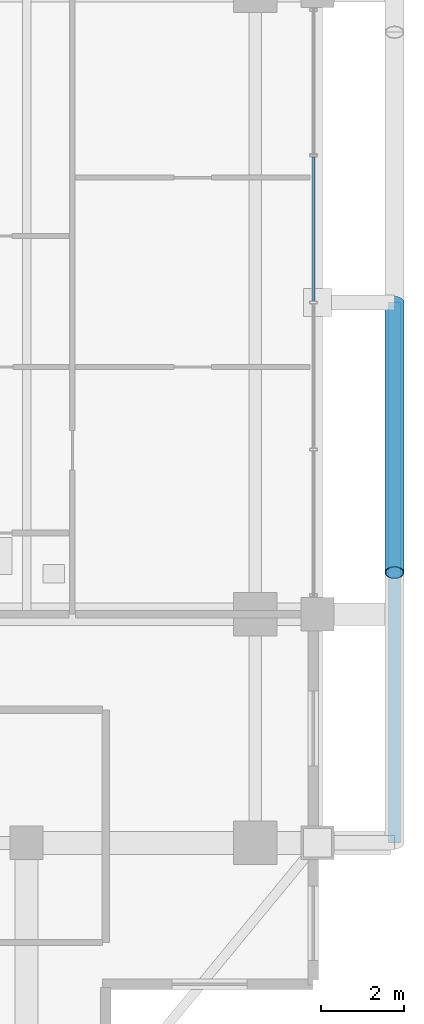
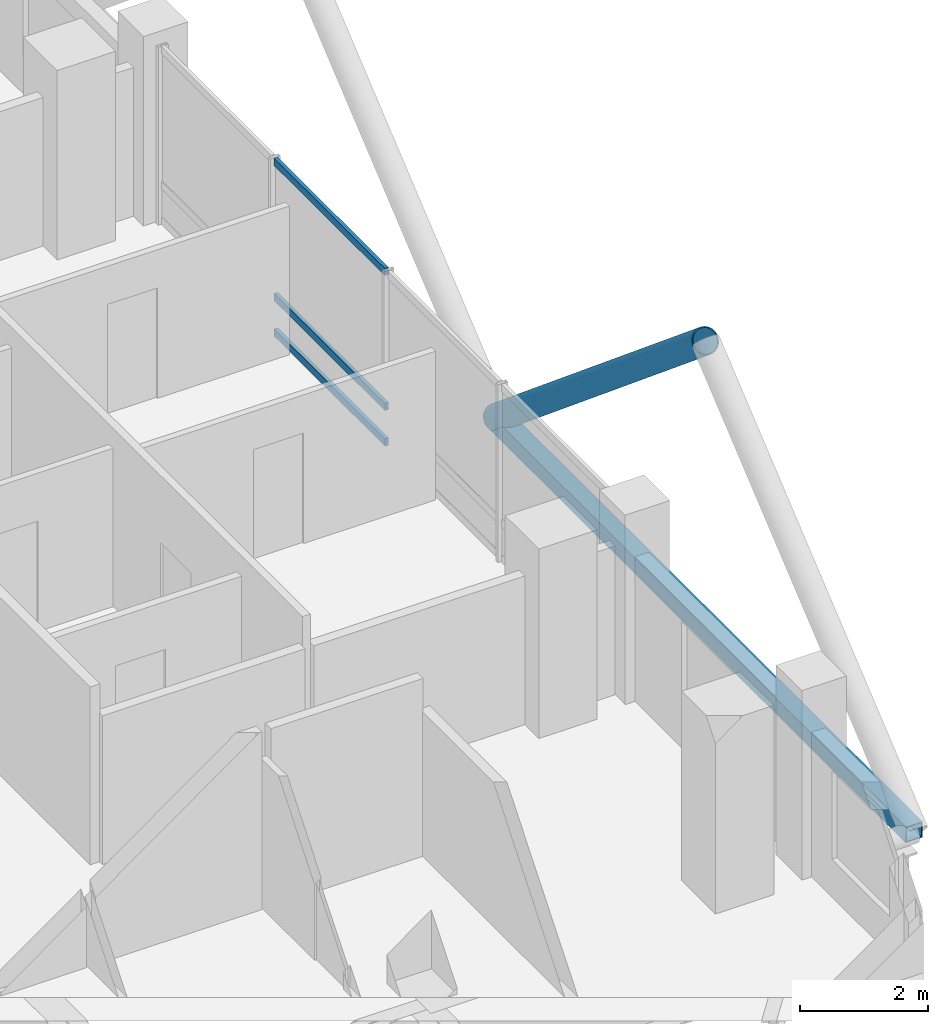
# One storey, part 7 of 23: 5 members, 1 element without a shape of its own.
"""IFC4 building model written with IfcOpenShell, lengths in metres."""

from ifc_helpers import new_model, si_unit, direction, frame, origin, origin_2d, place, context, subcontext, project, spatial, hollow_rectangle, hollow_circle, extrude, material, layer, layer_set, material_profile, profile_set, type_object, element, aggregate, save


model = new_model("IFC4")

# Units and contexts
model_context = context("Model", 3, precision=1e-05, world=origin(), true_north=direction((0.0, 1.0)))
body_context = subcontext(model_context, "Body", "Model", "MODEL_VIEW")
ifc_project = project(units=[si_unit("LENGTHUNIT", "METRE"), si_unit("AREAUNIT", "SQUARE_METRE"), si_unit("VOLUMEUNIT", "CUBIC_METRE"), si_unit("PLANEANGLEUNIT", "RADIAN"), si_unit("MASSUNIT", "GRAM", prefix="KILO")], contexts=[model_context])

# Site, building, storey
site_placement = place(None, origin())
site = spatial("IfcSite", under=ifc_project, at=site_placement, CompositionType="ELEMENT")
building_placement = place(site_placement, origin())
building = spatial("IfcBuilding", under=site, at=building_placement, Name="Barlavira Tower and Art Museum", CompositionType="ELEMENT")
storey_placement = place(building_placement, frame((0.0, 0.0, 165.60009765625)))
storey = spatial("IfcBuildingStorey", under=building, at=storey_placement, Name="L42", CompositionType="ELEMENT", Elevation=165.60009765625)

# Curtain wall, members
ifc_material_1 = material(Name="Low-iron coastal laminated glass", Category="glass")
ifc_layer = layer(ifc_material_1, 0.199951171875, Name="Low-iron coastal laminated glass")
ifc_layer_set = layer_set([ifc_layer], Name="Low-iron coastal laminated glass")
curtain_wall_type = type_object("IfcCurtainWallType", Name="Pale-Metal Unitised Curtain Wall Zone 3", PredefinedType="NOTDEFINED", material=ifc_layer_set)
curtain_wall_placement = place(storey_placement, origin())
curtain_wall = element("IfcCurtainWall", 1, at=curtain_wall_placement, inside=storey, type_object=curtain_wall_type, Name="L42 Curtain Wall CW3-L42-E-B3", PredefinedType="NOTDEFINED")
ifc_material_2 = material(Name="Pale anodised aluminium", Category="aluminium")
ifc_material_profile_1 = material_profile(ifc_material_2, hollow_rectangle(XDim=0.06494140625, YDim=0.139892578125, WallThickness=0.00390625, at=origin_2d()), Name="ALU-TRAN 65x140x4")
ifc_profile_set_1 = profile_set([ifc_material_profile_1], Name="Pale anodised aluminium")
member_type_1 = type_object("IfcMemberType", Name="Curtain Wall Pale-Metal Transom 65x140", PredefinedType="USERDEFINED", material=ifc_profile_set_1)
member_1_placement = place(storey_placement, frame((18.39990234375, 0.044921875, 0.06982421875), z_axis=(0.0, 1.0, 0.0), x_axis=(-1.0, 0.0, 0.0)))
member_1 = element("IfcMember", 2, at=member_1_placement, type_object=member_type_1, Name="CW3-L42-E-B3 Transom 2.1", ObjectType="TRANSOM", PredefinedType="USERDEFINED", context=body_context, shape_type="SweptSolid", body=[
    extrude(hollow_rectangle(XDim=0.06494140625, YDim=0.139892578125, WallThickness=0.00390625, at=origin_2d()), origin(), (0.0, 0.0, 1.0), 3.4501953125),
])
member_2_placement = place(storey_placement, frame((18.39990234375, 0.044921875, 0.743896484375), z_axis=(0.0, 1.0, 0.0), x_axis=(-1.0, 0.0, 0.0)))
member_2 = element("IfcMember", 3, at=member_2_placement, type_object=member_type_1, Name="CW3-L42-E-B3 Transom 2.2", ObjectType="TRANSOM", PredefinedType="USERDEFINED", context=body_context, shape_type="SweptSolid", body=[
    extrude(hollow_rectangle(XDim=0.06494140625, YDim=0.139892578125, WallThickness=0.00390625, at=origin_2d()), origin(), (0.0, 0.0, 1.0), 3.4501953125),
])
member_3_placement = place(storey_placement, frame((18.39990234375, 0.044921875, 3.309814453125), z_axis=(0.0, 1.0, 0.0), x_axis=(-1.0, 0.0, 0.0)))
member_3 = element("IfcMember", 4, at=member_3_placement, type_object=member_type_1, Name="CW3-L42-E-B3 Transom 2.3", ObjectType="TRANSOM", PredefinedType="USERDEFINED", context=body_context, shape_type="SweptSolid", body=[
    extrude(hollow_rectangle(XDim=0.06494140625, YDim=0.139892578125, WallThickness=0.00390625, at=origin_2d()), origin(), (0.0, 0.0, 1.0), 3.4501953125),
])
aggregate(curtain_wall, [member_1, member_2, member_3])

# Members
ifc_material_3 = material(Name="Steel S355", Category="steel")
ifc_material_profile_2 = material_profile(ifc_material_3, hollow_circle(Radius=0.228515625, WallThickness=0.02001953125, at=origin_2d()), Name="CHS 457.0x20.0")
ifc_profile_set_2 = profile_set([ifc_material_profile_2], Name="Steel S355")
member_type_2 = type_object("IfcMemberType", Name="Pale-Metal Exoskeleton Diagrid Tube CHS 457x20 Steel S355", PredefinedType="BRACE", material=ifc_profile_set_2)
member_4_placement = place(storey_placement, frame((20.35009765625, 0.0, -0.1201171875), z_axis=(0.0, -0.769196053329, 0.639012857104), x_axis=(1.0, 0.0, 0.0)))
element("IfcMember", 5, at=member_4_placement, inside=storey, type_object=member_type_2, Name="L42 Exoskeleton Diagrid Tube E", PredefinedType="BRACE", context=body_context, shape_type="SweptSolid", body=[
    extrude(hollow_circle(Radius=0.228515625, WallThickness=0.02001953125, at=origin_2d()), origin(), (0.0, 0.0, 1.0), 8.450439453125),
])
ifc_material_profile_3 = material_profile(ifc_material_3, hollow_rectangle(XDim=0.300048828125, YDim=0.300048828125, WallThickness=0.01611328125, at=origin_2d()), Name="SHS 300x300x16.0")
ifc_profile_set_3 = profile_set([ifc_material_profile_3], Name="Steel S355")
member_type_3 = type_object("IfcMemberType", Name="Pale-Metal Upper Ring Strut SHS 300x300x16 Steel S355", PredefinedType="STRUT", material=ifc_profile_set_3)
member_5_placement = place(storey_placement, frame((20.35009765625, -13.0, -0.1201171875), z_axis=(0.0, 1.0, 0.0), x_axis=(-1.0, 0.0, 0.0)))
element("IfcMember", 6, at=member_5_placement, inside=storey, type_object=member_type_3, Name="L42 Exoskeleton Ring Strut E", PredefinedType="STRUT", context=body_context, shape_type="SweptSolid", body=[
    extrude(hollow_rectangle(XDim=0.300048828125, YDim=0.300048828125, WallThickness=0.01611328125, at=origin_2d()), origin(), (0.0, 0.0, 1.0), 13.0),
])

save(model, "model.ifc")
